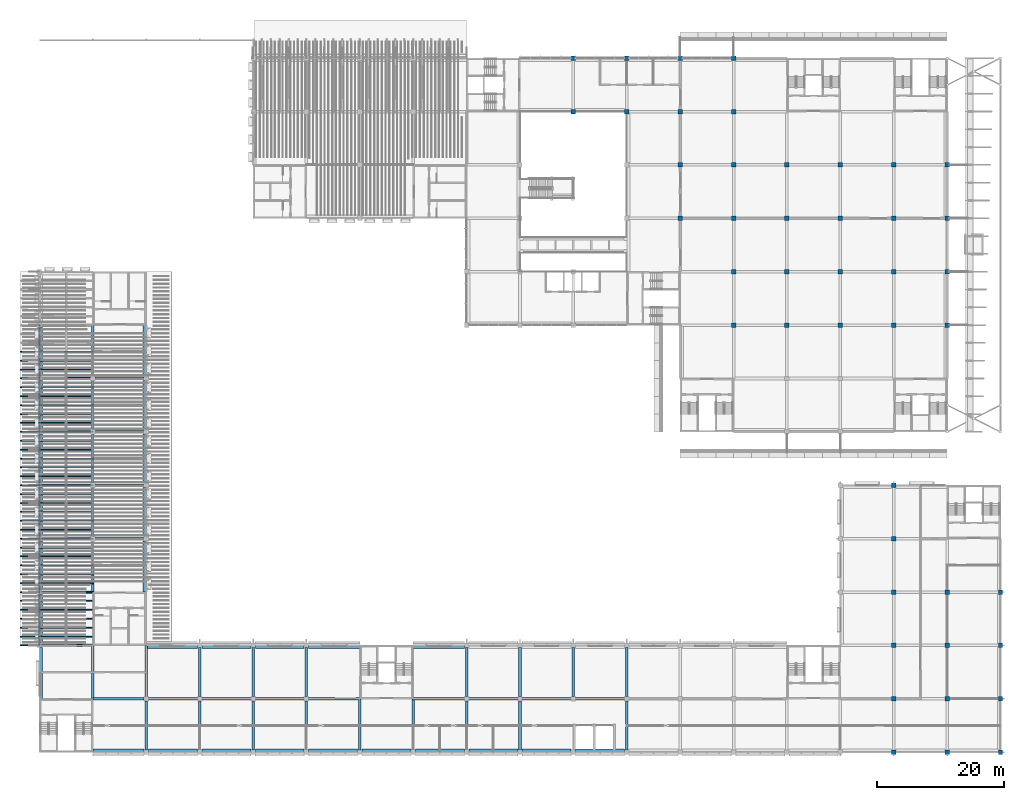
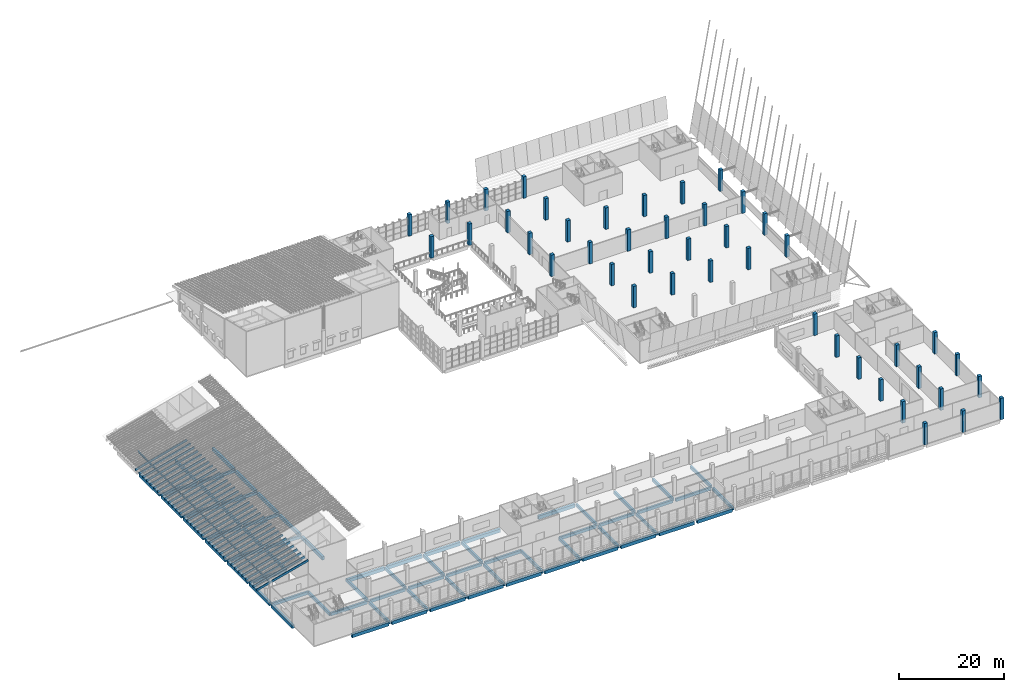
# One storey, part 3 of 82: 75 beams, 44 columns, 34 members.
"""IFC4 building model written with IfcOpenShell, lengths in metres."""

from ifc_helpers import new_model, si_unit, direction, frame, origin, origin_2d, place, context, subcontext, project, spatial, rectangle, i_section, extrude, material, material_profile, profile_set, type_object, element, save


model = new_model("IFC4")

# Units and contexts
model_context = context("Model", 3, precision=1e-05, world=origin(), true_north=direction((0.0, 1.0)))
body_context = subcontext(model_context, "Body", "Model", "MODEL_VIEW")
ifc_project = project(units=[si_unit("LENGTHUNIT", "METRE"), si_unit("AREAUNIT", "SQUARE_METRE"), si_unit("VOLUMEUNIT", "CUBIC_METRE"), si_unit("PLANEANGLEUNIT", "RADIAN"), si_unit("MASSUNIT", "GRAM", prefix="KILO")], contexts=[model_context])

# Site, building, storey
site_placement = place(None, origin())
site = spatial("IfcSite", under=ifc_project, at=site_placement, CompositionType="ELEMENT")
building_placement = place(site_placement, origin())
building = spatial("IfcBuilding", under=site, at=building_placement, Name="Almond Square Museum", CompositionType="ELEMENT")
storey_placement = place(building_placement, frame((0.0, 0.0, 20.0)))
storey = spatial("IfcBuildingStorey", under=building, at=storey_placement, Name="L03", CompositionType="ELEMENT", Elevation=20.0)

# Columns
ifc_material_1 = material(Name="Concrete C40/50", Category="concrete")
ifc_material_profile_1 = material_profile(ifc_material_1, rectangle(XDim=0.699951171875, YDim=0.699951171875, at=origin_2d()))
ifc_profile_set_1 = profile_set([ifc_material_profile_1], Name="Concrete C40/50")
column_type = type_object("IfcColumnType", Name="RC column 700 x 700 C40/50", PredefinedType="COLUMN", material=ifc_profile_set_1)
for number, where, z_axis, x_axis, name in (
    (1, (90.0, 100.800048828125, 0.0), (0.0, 0.0, 1.0), (1.0, 0.0, 0.0), "Column 12-M L03"),
    (2, (90.0, 109.199951171875, 0.0), (0.0, 0.0, 1.0), (1.0, 0.0, 0.0), "Column 12-N L03"),
    (3, (98.39990234375, 100.800048828125, 0.0), (0.0, 0.0, 1.0), (1.0, 0.0, 0.0), "Column 13-M L03"),
    (4, (98.39990234375, 109.199951171875, 0.0), (0.0, 0.0, 1.0), (1.0, 0.0, 0.0), "Column 13-N L03"),
    (5, (106.800048828125, 84.0, 0.0), (0.0, 0.0, 1.0), (1.0, 0.0, 0.0), "Column 14-K L03"),
    (6, (106.800048828125, 92.39990234375, 0.0), (0.0, 0.0, 1.0), (1.0, 0.0, 0.0), "Column 14-L L03"),
    (7, (106.800048828125, 100.800048828125, 0.0), (0.0, 0.0, 1.0), (1.0, 0.0, 0.0), "Column 14-M L03"),
    (8, (106.800048828125, 109.199951171875, 0.0), (0.0, 0.0, 1.0), (1.0, 0.0, 0.0), "Column 14-N L03"),
    (9, (115.199951171875, 67.199951171875, 0.0), (0.0, 0.0, 1.0), (1.0, 0.0, 0.0), "Column 15-I L03"),
    (10, (115.199951171875, 75.60009765625, 0.0), (0.0, 0.0, 1.0), (1.0, 0.0, 0.0), "Column 15-J L03"),
    (11, (115.199951171875, 84.0, 0.0), (0.0, 0.0, 1.0), (1.0, 0.0, 0.0), "Column 15-K L03"),
    (12, (115.199951171875, 92.39990234375, 0.0), (0.0, 0.0, 1.0), (1.0, 0.0, 0.0), "Column 15-L L03"),
    (13, (115.199951171875, 100.800048828125, 0.0), (0.0, 0.0, 1.0), (1.0, 0.0, 0.0), "Column 15-M L03"),
    (14, (115.199951171875, 109.199951171875, 0.0), (0.0, 0.0, 1.0), (1.0, 0.0, 0.0), "Column 15-N L03"),
    (15, (123.60009765625, 67.199951171875, 0.0), (0.0, 0.0, 1.0), (1.0, 0.0, 0.0), "Column 16-I L03"),
    (16, (123.60009765625, 75.60009765625, 0.0), (0.0, 0.0, 1.0), (1.0, 0.0, 0.0), "Column 16-J L03"),
    (17, (123.60009765625, 84.0, 0.0), (0.0, 0.0, 1.0), (1.0, 0.0, 0.0), "Column 16-K L03"),
    (18, (123.60009765625, 92.39990234375, 0.0), (0.0, 0.0, 1.0), (1.0, 0.0, 0.0), "Column 16-L L03"),
    (19, (132.0, 67.199951171875, 0.0), (0.0, 0.0, 1.0), (1.0, 0.0, 0.0), "Column 17-I L03"),
    (20, (132.0, 75.60009765625, 0.0), (0.0, 0.0, 1.0), (1.0, 0.0, 0.0), "Column 17-J L03"),
    (21, (132.0, 84.0, 0.0), (0.0, 0.0, 1.0), (1.0, 0.0, 0.0), "Column 17-K L03"),
    (22, (132.0, 92.39990234375, 0.0), (0.0, 0.0, 1.0), (1.0, 0.0, 0.0), "Column 17-L L03"),
    (23, (140.39990234375, 0.0, 0.0), (0.0, 0.0, 1.0), (1.0, 0.0, 0.0), "Column 18-A L03"),
    (24, (140.39990234375, 8.39990234375, 0.0), (0.0, 0.0, 1.0), (1.0, 0.0, 0.0), "Column 18-B L03"),
    (25, (140.39990234375, 16.800048828125, 0.0), (0.0, 0.0, 1.0), (1.0, 0.0, 0.0), "Column 18-C L03"),
    (26, (140.39990234375, 25.199951171875, 0.0), (0.0, 0.0, 1.0), (1.0, 0.0, 0.0), "Column 18-D L03"),
    (27, (140.39990234375, 33.60009765625, 0.0), (0.0, 0.0, 1.0), (1.0, 0.0, 0.0), "Column 18-E L03"),
    (28, (140.39990234375, 42.0, 0.0), (0.0, 0.0, 1.0), (1.0, 0.0, 0.0), "Column 18-F L03"),
    (29, (140.39990234375, 67.199951171875, 0.0), (0.0, 0.0, 1.0), (1.0, 0.0, 0.0), "Column 18-I L03"),
    (30, (140.39990234375, 75.60009765625, 0.0), (0.0, 0.0, 1.0), (1.0, 0.0, 0.0), "Column 18-J L03"),
    (31, (140.39990234375, 84.0, 0.0), (0.0, 0.0, 1.0), (1.0, 0.0, 0.0), "Column 18-K L03"),
    (32, (140.39990234375, 92.39990234375, 0.0), (0.0, 0.0, 1.0), (1.0, 0.0, 0.0), "Column 18-L L03"),
    (33, (148.800048828125, 0.0, 0.0), (0.0, 0.0, 1.0), (1.0, 0.0, 0.0), "Column 19-A L03"),
    (34, (148.800048828125, 8.39990234375, 0.0), (0.0, 0.0, 1.0), (1.0, 0.0, 0.0), "Column 19-B L03"),
    (35, (148.800048828125, 16.800048828125, 0.0), (0.0, 0.0, 1.0), (1.0, 0.0, 0.0), "Column 19-C L03"),
    (36, (148.800048828125, 25.199951171875, 0.0), (0.0, 0.0, 1.0), (1.0, 0.0, 0.0), "Column 19-D L03"),
    (37, (148.800048828125, 67.199951171875, 0.0), (0.0, 0.0, 1.0), (1.0, 0.0, 0.0), "Column 19-I L03"),
    (38, (148.800048828125, 75.60009765625, 0.0), (0.0, 0.0, 1.0), (1.0, 0.0, 0.0), "Column 19-J L03"),
    (39, (148.800048828125, 84.0, 0.0), (0.0, 0.0, 1.0), (1.0, 0.0, 0.0), "Column 19-K L03"),
    (40, (148.800048828125, 92.39990234375, 0.0), (0.0, 0.0, 1.0), (1.0, 0.0, 0.0), "Column 19-L L03"),
    (41, (157.199951171875, 0.0, 0.0), (0.0, 0.0, 1.0), (1.0, 0.0, 0.0), "Column 20-A L03"),
    (42, (157.199951171875, 8.39990234375, 0.0), (0.0, 0.0, 1.0), (1.0, 0.0, 0.0), "Column 20-B L03"),
    (43, (157.199951171875, 16.800048828125, 0.0), (0.0, 0.0, 1.0), (1.0, 0.0, 0.0), "Column 20-C L03"),
    (44, (157.199951171875, 25.199951171875, 0.0), (0.0, 0.0, 1.0), (1.0, 0.0, 0.0), "Column 20-D L03"),
):
    element("IfcColumn", number, at=place(storey_placement, frame(where, z_axis=z_axis, x_axis=x_axis)), inside=storey, type_object=column_type, Name=name, PredefinedType="COLUMN", context=body_context, shape_type="SweptSolid", body=[
        extrude(rectangle(XDim=0.699951171875, YDim=0.699951171875, at=origin_2d()), origin(), (0.0, 0.0, 1.0), 5.0),
    ])

# Members
ifc_material_2 = material(Name="Glulam GL28h", Category="wood")
ifc_material_profile_2 = material_profile(ifc_material_2, rectangle(XDim=0.159912109375, YDim=0.5, at=origin_2d()))
ifc_profile_set_2 = profile_set([ifc_material_profile_2], Name="Glulam GL28h")
member_type = type_object("IfcMemberType", Name="Glulam rafter GL28h 160x500", PredefinedType="RAFTER", material=ifc_profile_set_2)
for number, where, z_axis, x_axis, name in (
    (45, (3.0, 16.860107421875, 3.8525390625), (0.967374157701, 0.0, 0.253352006136), (0.0, 1.0, 0.0), "V4W rafter 1.1"),
    (46, (3.0, 18.199951171875, 3.8525390625), (0.967374157701, 0.0, 0.253352006136), (0.0, 1.0, 0.0), "V4W rafter 1.2"),
    (47, (3.0, 19.60009765625, 3.8525390625), (0.967374157701, 0.0, 0.253352006136), (0.0, 1.0, 0.0), "V4W rafter 1.3"),
    (48, (3.0, 21.0, 3.8525390625), (0.967374157701, 0.0, 0.253352006136), (0.0, 1.0, 0.0), "V4W rafter 1.4"),
    (49, (3.0, 22.39990234375, 3.8525390625), (0.967374157701, 0.0, 0.253352006136), (0.0, 1.0, 0.0), "V4W rafter 1.5"),
    (50, (3.0, 23.800048828125, 3.8525390625), (0.967374157701, 0.0, 0.253352006136), (0.0, 1.0, 0.0), "V4W rafter 1.6"),
    (51, (3.0, 25.199951171875, 3.8525390625), (0.967374157701, 0.0, 0.253352006136), (0.0, 1.0, 0.0), "V4W rafter 1.7"),
    (52, (3.0, 26.60009765625, 3.8525390625), (0.967374157701, 0.0, 0.253352006136), (0.0, 1.0, 0.0), "V4W rafter 1.8"),
    (53, (3.0, 28.0, 3.8525390625), (0.967374157701, 0.0, 0.253352006136), (0.0, 1.0, 0.0), "V4W rafter 1.9"),
    (54, (3.0, 29.39990234375, 3.8525390625), (0.967374157701, 0.0, 0.253352006136), (0.0, 1.0, 0.0), "V4W rafter 1.10"),
    (55, (3.0, 30.800048828125, 3.8525390625), (0.967374157701, 0.0, 0.253352006136), (0.0, 1.0, 0.0), "V4W rafter 1.11"),
    (56, (3.0, 32.199951171875, 3.8525390625), (0.967374157701, 0.0, 0.253352006136), (0.0, 1.0, 0.0), "V4W rafter 1.12"),
    (57, (3.0, 33.60009765625, 3.8525390625), (0.967374157701, 0.0, 0.253352006136), (0.0, 1.0, 0.0), "V4W rafter 1.13"),
    (58, (3.0, 35.0, 3.8525390625), (0.967374157701, 0.0, 0.253352006136), (0.0, 1.0, 0.0), "V4W rafter 1.14"),
    (59, (3.0, 36.39990234375, 3.8525390625), (0.967374157701, 0.0, 0.253352006136), (0.0, 1.0, 0.0), "V4W rafter 1.15"),
    (60, (3.0, 37.800048828125, 3.8525390625), (0.967374157701, 0.0, 0.253352006136), (0.0, 1.0, 0.0), "V4W rafter 1.16"),
    (61, (3.0, 39.199951171875, 3.8525390625), (0.967374157701, 0.0, 0.253352006136), (0.0, 1.0, 0.0), "V4W rafter 1.17"),
    (62, (3.0, 40.60009765625, 3.8525390625), (0.967374157701, 0.0, 0.253352006136), (0.0, 1.0, 0.0), "V4W rafter 1.18"),
    (63, (3.0, 42.0, 3.8525390625), (0.967374157701, 0.0, 0.253352006136), (0.0, 1.0, 0.0), "V4W rafter 1.19"),
    (64, (3.0, 43.39990234375, 3.8525390625), (0.967374157701, 0.0, 0.253352006136), (0.0, 1.0, 0.0), "V4W rafter 1.20"),
    (65, (3.0, 44.800048828125, 3.8525390625), (0.967374157701, 0.0, 0.253352006136), (0.0, 1.0, 0.0), "V4W rafter 1.21"),
    (66, (3.0, 46.199951171875, 3.8525390625), (0.967374157701, 0.0, 0.253352006136), (0.0, 1.0, 0.0), "V4W rafter 1.22"),
    (67, (3.0, 47.60009765625, 3.8525390625), (0.967374157701, 0.0, 0.253352006136), (0.0, 1.0, 0.0), "V4W rafter 1.23"),
    (68, (3.0, 49.0, 3.8525390625), (0.967374157701, 0.0, 0.253352006136), (0.0, 1.0, 0.0), "V4W rafter 1.24"),
    (69, (3.0, 50.39990234375, 3.8525390625), (0.967374157701, 0.0, 0.253352006136), (0.0, 1.0, 0.0), "V4W rafter 1.25"),
    (70, (3.0, 51.800048828125, 3.8525390625), (0.967374157701, 0.0, 0.253352006136), (0.0, 1.0, 0.0), "V4W rafter 1.26"),
    (71, (3.0, 53.199951171875, 3.8525390625), (0.967374157701, 0.0, 0.253352006136), (0.0, 1.0, 0.0), "V4W rafter 1.27"),
    (72, (3.0, 54.60009765625, 3.8525390625), (0.967374157701, 0.0, 0.253352006136), (0.0, 1.0, 0.0), "V4W rafter 1.28"),
    (73, (3.0, 56.0, 3.8525390625), (0.967374157701, 0.0, 0.253352006136), (0.0, 1.0, 0.0), "V4W rafter 1.29"),
    (74, (3.0, 57.39990234375, 3.8525390625), (0.967374157701, 0.0, 0.253352006136), (0.0, 1.0, 0.0), "V4W rafter 1.30"),
    (75, (3.0, 58.800048828125, 3.8525390625), (0.967374157701, 0.0, 0.253352006136), (0.0, 1.0, 0.0), "V4W rafter 1.31"),
    (76, (3.0, 60.199951171875, 3.8525390625), (0.967374157701, 0.0, 0.253352006136), (0.0, 1.0, 0.0), "V4W rafter 1.32"),
    (77, (3.0, 61.60009765625, 3.8525390625), (0.967374157701, 0.0, 0.253352006136), (0.0, 1.0, 0.0), "V4W rafter 1.33"),
    (78, (3.0, 63.0, 3.8525390625), (0.967374157701, 0.0, 0.253352006136), (0.0, 1.0, 0.0), "V4W rafter 1.34"),
):
    element("IfcMember", number, at=place(storey_placement, frame(where, z_axis=z_axis, x_axis=x_axis)), inside=storey, type_object=member_type, Name=name, PredefinedType="RAFTER", context=body_context, shape_type="SweptSolid", body=[
        extrude(rectangle(XDim=0.159912109375, YDim=0.5, at=origin_2d()), origin(), (0.0, 0.0, 1.0), 11.784423828125),
    ])

# Beams
ifc_material_3 = material(Name="Concrete C40/50", Category="concrete")
ifc_material_profile_3 = material_profile(ifc_material_3, rectangle(XDim=0.39990234375, YDim=0.699951171875, at=origin_2d()))
ifc_profile_set_3 = profile_set([ifc_material_profile_3], Name="Concrete C40/50")
beam_type_1 = type_object("IfcBeamType", Name="RC beam 400 x 700 C40/50", PredefinedType="BEAM", material=ifc_profile_set_3)
beam_1_placement = place(storey_placement, frame((14.39990234375, 8.39990234375, -0.60009765625), z_axis=(1.0, 0.0, 0.0), x_axis=(0.0, 1.0, 0.0)))
element("IfcBeam", 79, at=beam_1_placement, inside=storey, type_object=beam_type_1, Name="Beam B 3-4 L03", PredefinedType="BEAM", context=body_context, shape_type="SweptSolid", body=[
    extrude(rectangle(XDim=0.39990234375, YDim=0.699951171875, at=origin_2d()), origin(), (0.0, 0.0, 1.0), 8.050048828125),
])
beam_2_placement = place(storey_placement, frame((23.14990234375, 8.39990234375, -0.60009765625), z_axis=(1.0, 0.0, 0.0), x_axis=(0.0, 1.0, 0.0)))
element("IfcBeam", 80, at=beam_2_placement, inside=storey, type_object=beam_type_1, Name="Beam B 4-5 L03", PredefinedType="BEAM", context=body_context, shape_type="SweptSolid", body=[
    extrude(rectangle(XDim=0.39990234375, YDim=0.699951171875, at=origin_2d()), origin(), (0.0, 0.0, 1.0), 7.7001953125),
])
for number, where, z_axis, x_axis, name in (
    (81, (31.550048828125, 8.39990234375, -0.60009765625), (1.0, 0.0, 0.0), (0.0, 1.0, 0.0), "Beam B 5-6 L03"),
    (82, (39.949951171875, 8.39990234375, -0.60009765625), (1.0, 0.0, 0.0), (0.0, 1.0, 0.0), "Beam B 6-7 L03"),
):
    element("IfcBeam", number, at=place(storey_placement, frame(where, z_axis=z_axis, x_axis=x_axis)), inside=storey, type_object=beam_type_1, Name=name, PredefinedType="BEAM", context=body_context, shape_type="SweptSolid", body=[
        extrude(rectangle(XDim=0.39990234375, YDim=0.699951171875, at=origin_2d()), origin(), (0.0, 0.0, 1.0), 7.699951171875),
    ])
beam_3_placement = place(storey_placement, frame((48.35009765625, 8.39990234375, -0.60009765625), z_axis=(1.0, 0.0, 0.0), x_axis=(0.0, 1.0, 0.0)))
element("IfcBeam", 83, at=beam_3_placement, inside=storey, type_object=beam_type_1, Name="Beam B 7-8 L03", PredefinedType="BEAM", context=body_context, shape_type="SweptSolid", body=[
    extrude(rectangle(XDim=0.39990234375, YDim=0.699951171875, at=origin_2d()), origin(), (0.0, 0.0, 1.0), 8.0498046875),
])
beam_4_placement = place(storey_placement, frame((64.800048828125, 8.39990234375, -0.60009765625), z_axis=(1.0, 0.0, 0.0), x_axis=(0.0, 1.0, 0.0)))
element("IfcBeam", 84, at=beam_4_placement, inside=storey, type_object=beam_type_1, Name="Beam B 9-10 L03", PredefinedType="BEAM", context=body_context, shape_type="SweptSolid", body=[
    extrude(rectangle(XDim=0.39990234375, YDim=0.699951171875, at=origin_2d()), origin(), (0.0, 0.0, 1.0), 8.050048828125),
])
for number, where, z_axis, x_axis, name in (
    (85, (73.550048828125, 8.39990234375, -0.60009765625), (1.0, 0.0, 0.0), (0.0, 1.0, 0.0), "Beam B 10-11 L03"),
    (86, (81.949951171875, 8.39990234375, -0.60009765625), (1.0, 0.0, 0.0), (0.0, 1.0, 0.0), "Beam B 11-12 L03"),
    (87, (90.35009765625, 8.39990234375, -0.60009765625), (1.0, 0.0, 0.0), (0.0, 1.0, 0.0), "Beam B 12-13 L03"),
):
    element("IfcBeam", number, at=place(storey_placement, frame(where, z_axis=z_axis, x_axis=x_axis)), inside=storey, type_object=beam_type_1, Name=name, PredefinedType="BEAM", context=body_context, shape_type="SweptSolid", body=[
        extrude(rectangle(XDim=0.39990234375, YDim=0.699951171875, at=origin_2d()), origin(), (0.0, 0.0, 1.0), 7.699951171875),
    ])
for number, where, z_axis, x_axis, name in (
    (88, (6.35009765625, 16.800048828125, -0.60009765625), (1.0, 0.0, 0.0), (0.0, 1.0, 0.0), "Beam C 2-3 L03"),
    (89, (6.35009765625, 25.199951171875, -0.60009765625), (1.0, 0.0, 0.0), (0.0, 1.0, 0.0), "Beam D 2-3 L03"),
):
    element("IfcBeam", number, at=place(storey_placement, frame(where, z_axis=z_axis, x_axis=x_axis)), inside=storey, type_object=beam_type_1, Name=name, PredefinedType="BEAM", context=body_context, shape_type="SweptSolid", body=[
        extrude(rectangle(XDim=0.39990234375, YDim=0.699951171875, at=origin_2d()), origin(), (0.0, 0.0, 1.0), 8.0498046875),
    ])
for number, where, z_axis, x_axis, name in (
    (90, (6.35009765625, 33.60009765625, -0.60009765625), (1.0, 0.0, 0.0), (0.0, 1.0, 0.0), "Beam E 2-3 L03"),
    (91, (14.75, 33.60009765625, -0.60009765625), (1.0, 0.0, 0.0), (0.0, 1.0, 0.0), "Beam E 3-4 L03"),
    (92, (6.35009765625, 42.0, -0.60009765625), (1.0, 0.0, 0.0), (0.0, 1.0, 0.0), "Beam F 2-3 L03"),
    (93, (14.75, 42.0, -0.60009765625), (1.0, 0.0, 0.0), (0.0, 1.0, 0.0), "Beam F 3-4 L03"),
    (94, (6.35009765625, 50.39990234375, -0.60009765625), (1.0, 0.0, 0.0), (0.0, 1.0, 0.0), "Beam G 2-3 L03"),
    (95, (14.75, 50.39990234375, -0.60009765625), (1.0, 0.0, 0.0), (0.0, 1.0, 0.0), "Beam G 3-4 L03"),
    (96, (6.35009765625, 58.800048828125, -0.60009765625), (1.0, 0.0, 0.0), (0.0, 1.0, 0.0), "Beam H 2-3 L03"),
    (97, (14.75, 58.800048828125, -0.60009765625), (1.0, 0.0, 0.0), (0.0, 1.0, 0.0), "Beam H 3-4 L03"),
):
    element("IfcBeam", number, at=place(storey_placement, frame(where, z_axis=z_axis, x_axis=x_axis)), inside=storey, type_object=beam_type_1, Name=name, PredefinedType="BEAM", context=body_context, shape_type="SweptSolid", body=[
        extrude(rectangle(XDim=0.39990234375, YDim=0.699951171875, at=origin_2d()), origin(), (0.0, 0.0, 1.0), 7.699951171875),
    ])
beam_5_placement = place(storey_placement, frame((14.39990234375, 8.39990234375, -0.60009765625), z_axis=(0.0, 1.0, 0.0), x_axis=(-1.0, 0.0, 0.0)))
element("IfcBeam", 98, at=beam_5_placement, inside=storey, type_object=beam_type_1, Name="Beam 3 B-C L03", PredefinedType="BEAM", context=body_context, shape_type="SweptSolid", body=[
    extrude(rectangle(XDim=0.39990234375, YDim=0.699951171875, at=origin_2d()), origin(), (0.0, 0.0, 1.0), 8.400146484375),
])
beam_6_placement = place(storey_placement, frame((14.39990234375, 25.199951171875, -0.60009765625), z_axis=(0.0, 1.0, 0.0), x_axis=(-1.0, 0.0, 0.0)))
element("IfcBeam", 99, at=beam_6_placement, inside=storey, type_object=beam_type_1, Name="Beam 3 D-E L03", PredefinedType="BEAM", context=body_context, shape_type="SweptSolid", body=[
    extrude(rectangle(XDim=0.39990234375, YDim=0.699951171875, at=origin_2d()), origin(), (0.0, 0.0, 1.0), 8.050048828125),
])
for number, where, z_axis, x_axis, name in (
    (100, (14.39990234375, 33.949951171875, -0.60009765625), (0.0, 1.0, 0.0), (-1.0, 0.0, 0.0), "Beam 3 E-F L03"),
    (101, (14.39990234375, 42.35009765625, -0.60009765625), (0.0, 1.0, 0.0), (-1.0, 0.0, 0.0), "Beam 3 F-G L03"),
    (102, (14.39990234375, 50.75, -0.60009765625), (0.0, 1.0, 0.0), (-1.0, 0.0, 0.0), "Beam 3 G-H L03"),
):
    element("IfcBeam", number, at=place(storey_placement, frame(where, z_axis=z_axis, x_axis=x_axis)), inside=storey, type_object=beam_type_1, Name=name, PredefinedType="BEAM", context=body_context, shape_type="SweptSolid", body=[
        extrude(rectangle(XDim=0.39990234375, YDim=0.699951171875, at=origin_2d()), origin(), (0.0, 0.0, 1.0), 7.699951171875),
    ])
beam_7_placement = place(storey_placement, frame((14.39990234375, 59.14990234375, -0.60009765625), z_axis=(0.0, 1.0, 0.0), x_axis=(-1.0, 0.0, 0.0)))
element("IfcBeam", 103, at=beam_7_placement, inside=storey, type_object=beam_type_1, Name="Beam 3 H-I L03", PredefinedType="BEAM", context=body_context, shape_type="SweptSolid", body=[
    extrude(rectangle(XDim=0.39990234375, YDim=0.699951171875, at=origin_2d()), origin(), (0.0, 0.0, 1.0), 8.050048828125),
])
beam_8_placement = place(storey_placement, frame((22.800048828125, 0.35009765625, -0.60009765625), z_axis=(0.0, 1.0, 0.0), x_axis=(-1.0, 0.0, 0.0)))
element("IfcBeam", 104, at=beam_8_placement, inside=storey, type_object=beam_type_1, Name="Beam 4 A-B L03", PredefinedType="BEAM", context=body_context, shape_type="SweptSolid", body=[
    extrude(rectangle(XDim=0.39990234375, YDim=0.699951171875, at=origin_2d()), origin(), (0.0, 0.0, 1.0), 7.699951171875),
])
beam_9_placement = place(storey_placement, frame((22.800048828125, 8.75, -0.60009765625), z_axis=(0.0, 1.0, 0.0), x_axis=(-1.0, 0.0, 0.0)))
element("IfcBeam", 105, at=beam_9_placement, inside=storey, type_object=beam_type_1, Name="Beam 4 B-C L03", PredefinedType="BEAM", context=body_context, shape_type="SweptSolid", body=[
    extrude(rectangle(XDim=0.39990234375, YDim=0.699951171875, at=origin_2d()), origin(), (0.0, 0.0, 1.0), 8.050048828125),
])
for number, where, z_axis, x_axis, name in (
    (106, (31.199951171875, 0.35009765625, -0.60009765625), (0.0, 1.0, 0.0), (-1.0, 0.0, 0.0), "Beam 5 A-B L03"),
    (107, (31.199951171875, 8.75, -0.60009765625), (0.0, 1.0, 0.0), (-1.0, 0.0, 0.0), "Beam 5 B-C L03"),
    (108, (39.60009765625, 0.35009765625, -0.60009765625), (0.0, 1.0, 0.0), (-1.0, 0.0, 0.0), "Beam 6 A-B L03"),
    (109, (39.60009765625, 8.75, -0.60009765625), (0.0, 1.0, 0.0), (-1.0, 0.0, 0.0), "Beam 6 B-C L03"),
    (110, (48.0, 0.35009765625, -0.60009765625), (0.0, 1.0, 0.0), (-1.0, 0.0, 0.0), "Beam 7 A-B L03"),
    (111, (48.0, 8.75, -0.60009765625), (0.0, 1.0, 0.0), (-1.0, 0.0, 0.0), "Beam 7 B-C L03"),
):
    element("IfcBeam", number, at=place(storey_placement, frame(where, z_axis=z_axis, x_axis=x_axis)), inside=storey, type_object=beam_type_1, Name=name, PredefinedType="BEAM", context=body_context, shape_type="SweptSolid", body=[
        extrude(rectangle(XDim=0.39990234375, YDim=0.699951171875, at=origin_2d()), origin(), (0.0, 0.0, 1.0), 7.699951171875),
    ])
for number, where, z_axis, x_axis, name in (
    (112, (56.39990234375, 0.35009765625, -0.60009765625), (0.0, 1.0, 0.0), (-1.0, 0.0, 0.0), "Beam 8 A-B L03"),
    (113, (64.800048828125, 0.35009765625, -0.60009765625), (0.0, 1.0, 0.0), (-1.0, 0.0, 0.0), "Beam 9 A-B L03"),
):
    element("IfcBeam", number, at=place(storey_placement, frame(where, z_axis=z_axis, x_axis=x_axis)), inside=storey, type_object=beam_type_1, Name=name, PredefinedType="BEAM", context=body_context, shape_type="SweptSolid", body=[
        extrude(rectangle(XDim=0.39990234375, YDim=0.699951171875, at=origin_2d()), origin(), (0.0, 0.0, 1.0), 8.0498046875),
    ])
for number, where, z_axis, x_axis, name in (
    (114, (73.199951171875, 0.35009765625, -0.60009765625), (0.0, 1.0, 0.0), (-1.0, 0.0, 0.0), "Beam 10 A-B L03"),
    (115, (73.199951171875, 8.75, -0.60009765625), (0.0, 1.0, 0.0), (-1.0, 0.0, 0.0), "Beam 10 B-C L03"),
    (116, (81.60009765625, 0.35009765625, -0.60009765625), (0.0, 1.0, 0.0), (-1.0, 0.0, 0.0), "Beam 11 A-B L03"),
    (117, (81.60009765625, 8.75, -0.60009765625), (0.0, 1.0, 0.0), (-1.0, 0.0, 0.0), "Beam 11 B-C L03"),
    (118, (90.0, 8.75, -0.60009765625), (0.0, 1.0, 0.0), (-1.0, 0.0, 0.0), "Beam 12 B-C L03"),
    (119, (98.39990234375, 0.35009765625, -0.60009765625), (0.0, 1.0, 0.0), (-1.0, 0.0, 0.0), "Beam 13 A-B L03"),
    (120, (98.39990234375, 8.75, -0.60009765625), (0.0, 1.0, 0.0), (-1.0, 0.0, 0.0), "Beam 13 B-C L03"),
):
    element("IfcBeam", number, at=place(storey_placement, frame(where, z_axis=z_axis, x_axis=x_axis)), inside=storey, type_object=beam_type_1, Name=name, PredefinedType="BEAM", context=body_context, shape_type="SweptSolid", body=[
        extrude(rectangle(XDim=0.39990234375, YDim=0.699951171875, at=origin_2d()), origin(), (0.0, 0.0, 1.0), 7.699951171875),
    ])
ifc_material_4 = material(Name="Concrete C40/50", Category="concrete")
ifc_material_profile_4 = material_profile(ifc_material_4, rectangle(XDim=0.5, YDim=0.800048828125, at=origin_2d()))
ifc_profile_set_4 = profile_set([ifc_material_profile_4], Name="Concrete C40/50")
beam_type_2 = type_object("IfcBeamType", Name="RC edge beam 500 x 800 C40/50", PredefinedType="BEAM", material=ifc_profile_set_4)
beam_10_placement = place(storey_placement, frame((14.39990234375, 0.25, -0.64990234375), z_axis=(1.0, 0.0, 0.0), x_axis=(0.0, 1.0, 0.0)))
element("IfcBeam", 121, at=beam_10_placement, inside=storey, type_object=beam_type_2, Name="Edge beam A 3-4 L03", PredefinedType="BEAM", context=body_context, shape_type="SweptSolid", body=[
    extrude(rectangle(XDim=0.5, YDim=0.800048828125, at=origin_2d()), origin(), (0.0, 0.0, 1.0), 8.050048828125),
])
beam_11_placement = place(storey_placement, frame((23.14990234375, 0.25, -0.64990234375), z_axis=(1.0, 0.0, 0.0), x_axis=(0.0, 1.0, 0.0)))
element("IfcBeam", 122, at=beam_11_placement, inside=storey, type_object=beam_type_2, Name="Edge beam A 4-5 L03", PredefinedType="BEAM", context=body_context, shape_type="SweptSolid", body=[
    extrude(rectangle(XDim=0.5, YDim=0.800048828125, at=origin_2d()), origin(), (0.0, 0.0, 1.0), 7.7001953125),
])
for number, where, z_axis, x_axis, name in (
    (123, (31.550048828125, 0.25, -0.64990234375), (1.0, 0.0, 0.0), (0.0, 1.0, 0.0), "Edge beam A 5-6 L03"),
    (124, (39.949951171875, 0.25, -0.64990234375), (1.0, 0.0, 0.0), (0.0, 1.0, 0.0), "Edge beam A 6-7 L03"),
    (125, (48.35009765625, 0.25, -0.64990234375), (1.0, 0.0, 0.0), (0.0, 1.0, 0.0), "Edge beam A 7-8 L03"),
    (126, (56.75, 0.25, -0.64990234375), (1.0, 0.0, 0.0), (0.0, 1.0, 0.0), "Edge beam A 8-9 L03"),
):
    element("IfcBeam", number, at=place(storey_placement, frame(where, z_axis=z_axis, x_axis=x_axis)), inside=storey, type_object=beam_type_2, Name=name, PredefinedType="BEAM", context=body_context, shape_type="SweptSolid", body=[
        extrude(rectangle(XDim=0.5, YDim=0.800048828125, at=origin_2d()), origin(), (0.0, 0.0, 1.0), 7.699951171875),
    ])
beam_12_placement = place(storey_placement, frame((65.14990234375, 0.25, -0.64990234375), z_axis=(1.0, 0.0, 0.0), x_axis=(0.0, 1.0, 0.0)))
element("IfcBeam", 127, at=beam_12_placement, inside=storey, type_object=beam_type_2, Name="Edge beam A 9-10 L03", PredefinedType="BEAM", context=body_context, shape_type="SweptSolid", body=[
    extrude(rectangle(XDim=0.5, YDim=0.800048828125, at=origin_2d()), origin(), (0.0, 0.0, 1.0), 7.7001953125),
])
for number, where, z_axis, x_axis, name in (
    (128, (73.550048828125, 0.25, -0.64990234375), (1.0, 0.0, 0.0), (0.0, 1.0, 0.0), "Edge beam A 10-11 L03"),
    (129, (81.949951171875, 0.25, -0.64990234375), (1.0, 0.0, 0.0), (0.0, 1.0, 0.0), "Edge beam A 11-12 L03"),
    (130, (90.35009765625, 0.25, -0.64990234375), (1.0, 0.0, 0.0), (0.0, 1.0, 0.0), "Edge beam A 12-13 L03"),
):
    element("IfcBeam", number, at=place(storey_placement, frame(where, z_axis=z_axis, x_axis=x_axis)), inside=storey, type_object=beam_type_2, Name=name, PredefinedType="BEAM", context=body_context, shape_type="SweptSolid", body=[
        extrude(rectangle(XDim=0.5, YDim=0.800048828125, at=origin_2d()), origin(), (0.0, 0.0, 1.0), 7.699951171875),
    ])
beam_13_placement = place(storey_placement, frame((22.800048828125, 16.550048828125, -0.64990234375), z_axis=(1.0, 0.0, 0.0), x_axis=(0.0, 1.0, 0.0)))
element("IfcBeam", 131, at=beam_13_placement, inside=storey, type_object=beam_type_2, Name="Edge beam C 4-5 L03", PredefinedType="BEAM", context=body_context, shape_type="SweptSolid", body=[
    extrude(rectangle(XDim=0.5, YDim=0.800048828125, at=origin_2d()), origin(), (0.0, 0.0, 1.0), 8.050048828125),
])
for number, where, z_axis, x_axis, name in (
    (132, (31.550048828125, 16.550048828125, -0.64990234375), (1.0, 0.0, 0.0), (0.0, 1.0, 0.0), "Edge beam C 5-6 L03"),
    (133, (39.949951171875, 16.550048828125, -0.64990234375), (1.0, 0.0, 0.0), (0.0, 1.0, 0.0), "Edge beam C 6-7 L03"),
):
    element("IfcBeam", number, at=place(storey_placement, frame(where, z_axis=z_axis, x_axis=x_axis)), inside=storey, type_object=beam_type_2, Name=name, PredefinedType="BEAM", context=body_context, shape_type="SweptSolid", body=[
        extrude(rectangle(XDim=0.5, YDim=0.800048828125, at=origin_2d()), origin(), (0.0, 0.0, 1.0), 7.699951171875),
    ])
beam_14_placement = place(storey_placement, frame((48.35009765625, 16.550048828125, -0.64990234375), z_axis=(1.0, 0.0, 0.0), x_axis=(0.0, 1.0, 0.0)))
element("IfcBeam", 134, at=beam_14_placement, inside=storey, type_object=beam_type_2, Name="Edge beam C 7-8 L03", PredefinedType="BEAM", context=body_context, shape_type="SweptSolid", body=[
    extrude(rectangle(XDim=0.5, YDim=0.800048828125, at=origin_2d()), origin(), (0.0, 0.0, 1.0), 8.0498046875),
])
for number, where, z_axis, x_axis, name in (
    (135, (64.800048828125, 16.550048828125, -0.64990234375), (1.0, 0.0, 0.0), (0.0, 1.0, 0.0), "Edge beam C 9-10 L03"),
    (136, (6.25, 8.39990234375, -0.64990234375), (0.0, 1.0, 0.0), (-1.0, 0.0, 0.0), "Edge beam 2 B-C L03"),
):
    element("IfcBeam", number, at=place(storey_placement, frame(where, z_axis=z_axis, x_axis=x_axis)), inside=storey, type_object=beam_type_2, Name=name, PredefinedType="BEAM", context=body_context, shape_type="SweptSolid", body=[
        extrude(rectangle(XDim=0.5, YDim=0.800048828125, at=origin_2d()), origin(), (0.0, 0.0, 1.0), 8.050048828125),
    ])
beam_15_placement = place(storey_placement, frame((6.25, 17.14990234375, -0.64990234375), z_axis=(0.0, 1.0, 0.0), x_axis=(-1.0, 0.0, 0.0)))
element("IfcBeam", 137, at=beam_15_placement, inside=storey, type_object=beam_type_2, Name="Edge beam 2 C-D L03", PredefinedType="BEAM", context=body_context, shape_type="SweptSolid", body=[
    extrude(rectangle(XDim=0.5, YDim=0.800048828125, at=origin_2d()), origin(), (0.0, 0.0, 1.0), 7.7001953125),
])
for number, where, z_axis, x_axis, name in (
    (138, (6.25, 25.550048828125, -0.64990234375), (0.0, 1.0, 0.0), (-1.0, 0.0, 0.0), "Edge beam 2 D-E L03"),
    (139, (6.25, 33.949951171875, -0.64990234375), (0.0, 1.0, 0.0), (-1.0, 0.0, 0.0), "Edge beam 2 E-F L03"),
    (140, (6.25, 42.35009765625, -0.64990234375), (0.0, 1.0, 0.0), (-1.0, 0.0, 0.0), "Edge beam 2 F-G L03"),
    (141, (6.25, 50.75, -0.64990234375), (0.0, 1.0, 0.0), (-1.0, 0.0, 0.0), "Edge beam 2 G-H L03"),
):
    element("IfcBeam", number, at=place(storey_placement, frame(where, z_axis=z_axis, x_axis=x_axis)), inside=storey, type_object=beam_type_2, Name=name, PredefinedType="BEAM", context=body_context, shape_type="SweptSolid", body=[
        extrude(rectangle(XDim=0.5, YDim=0.800048828125, at=origin_2d()), origin(), (0.0, 0.0, 1.0), 7.699951171875),
    ])
beam_16_placement = place(storey_placement, frame((6.25, 59.14990234375, -0.64990234375), z_axis=(0.0, 1.0, 0.0), x_axis=(-1.0, 0.0, 0.0)))
element("IfcBeam", 142, at=beam_16_placement, inside=storey, type_object=beam_type_2, Name="Edge beam 2 H-I L03", PredefinedType="BEAM", context=body_context, shape_type="SweptSolid", body=[
    extrude(rectangle(XDim=0.5, YDim=0.800048828125, at=origin_2d()), origin(), (0.0, 0.0, 1.0), 7.7001953125),
])
beam_17_placement = place(storey_placement, frame((22.550048828125, 25.199951171875, -0.64990234375), z_axis=(0.0, 1.0, 0.0), x_axis=(-1.0, 0.0, 0.0)))
element("IfcBeam", 143, at=beam_17_placement, inside=storey, type_object=beam_type_2, Name="Edge beam 4 D-E L03", PredefinedType="BEAM", context=body_context, shape_type="SweptSolid", body=[
    extrude(rectangle(XDim=0.5, YDim=0.800048828125, at=origin_2d()), origin(), (0.0, 0.0, 1.0), 8.050048828125),
])
for number, where, z_axis, x_axis, name in (
    (144, (22.550048828125, 33.949951171875, -0.64990234375), (0.0, 1.0, 0.0), (-1.0, 0.0, 0.0), "Edge beam 4 E-F L03"),
    (145, (22.550048828125, 42.35009765625, -0.64990234375), (0.0, 1.0, 0.0), (-1.0, 0.0, 0.0), "Edge beam 4 F-G L03"),
    (146, (22.550048828125, 50.75, -0.64990234375), (0.0, 1.0, 0.0), (-1.0, 0.0, 0.0), "Edge beam 4 G-H L03"),
):
    element("IfcBeam", number, at=place(storey_placement, frame(where, z_axis=z_axis, x_axis=x_axis)), inside=storey, type_object=beam_type_2, Name=name, PredefinedType="BEAM", context=body_context, shape_type="SweptSolid", body=[
        extrude(rectangle(XDim=0.5, YDim=0.800048828125, at=origin_2d()), origin(), (0.0, 0.0, 1.0), 7.699951171875),
    ])
beam_18_placement = place(storey_placement, frame((22.550048828125, 59.14990234375, -0.64990234375), z_axis=(0.0, 1.0, 0.0), x_axis=(-1.0, 0.0, 0.0)))
element("IfcBeam", 147, at=beam_18_placement, inside=storey, type_object=beam_type_2, Name="Edge beam 4 H-I L03", PredefinedType="BEAM", context=body_context, shape_type="SweptSolid", body=[
    extrude(rectangle(XDim=0.5, YDim=0.800048828125, at=origin_2d()), origin(), (0.0, 0.0, 1.0), 8.050048828125),
])
ifc_material_5 = material(Name="Structural steel S355", Category="steel")
ifc_material_profile_5 = material_profile(ifc_material_5, i_section(OverallWidth=0.208984375, OverallDepth=0.532958984375, WebThickness=0.01025390625, FlangeThickness=0.015625, at=origin_2d()))
ifc_profile_set_5 = profile_set([ifc_material_profile_5], Name="Structural steel S355")
beam_type_3 = type_object("IfcBeamType", Name="Roof beam W530x92", PredefinedType="BEAM", material=ifc_profile_set_5)
beam_19_placement = place(storey_placement, frame((6.0, 16.800048828125, 4.62109375), z_axis=(0.0, 1.0, 0.0), x_axis=(-0.967372193034, 0.0, -0.253359507704)))
element("IfcBeam", 148, at=beam_19_placement, inside=storey, type_object=beam_type_3, Name="V4W roof beam 1.1", PredefinedType="BEAM", context=body_context, shape_type="SweptSolid", body=[
    extrude(i_section(OverallWidth=0.208984375, OverallDepth=0.532958984375, WebThickness=0.01025390625, FlangeThickness=0.015625, at=origin_2d()), origin(), (0.0, 0.0, 1.0), 8.39990234375),
])
beam_20_placement = place(storey_placement, frame((6.0, 25.199951171875, 4.62109375), z_axis=(0.0, 1.0, 0.0), x_axis=(-0.967372193034, 0.0, -0.253359507704)))
element("IfcBeam", 149, at=beam_20_placement, inside=storey, type_object=beam_type_3, Name="V4W roof beam 1.2", PredefinedType="BEAM", context=body_context, shape_type="SweptSolid", body=[
    extrude(i_section(OverallWidth=0.208984375, OverallDepth=0.532958984375, WebThickness=0.01025390625, FlangeThickness=0.015625, at=origin_2d()), origin(), (0.0, 0.0, 1.0), 8.400146484375),
])
for number, where, z_axis, x_axis, name in (
    (150, (6.0, 33.60009765625, 4.62109375), (0.0, 1.0, 0.0), (-0.967372193034, 0.0, -0.253359507704), "V4W roof beam 1.3"),
    (151, (6.0, 42.0, 4.62109375), (0.0, 1.0, 0.0), (-0.967372193034, 0.0, -0.253359507704), "V4W roof beam 1.4"),
):
    element("IfcBeam", number, at=place(storey_placement, frame(where, z_axis=z_axis, x_axis=x_axis)), inside=storey, type_object=beam_type_3, Name=name, PredefinedType="BEAM", context=body_context, shape_type="SweptSolid", body=[
        extrude(i_section(OverallWidth=0.208984375, OverallDepth=0.532958984375, WebThickness=0.01025390625, FlangeThickness=0.015625, at=origin_2d()), origin(), (0.0, 0.0, 1.0), 8.39990234375),
    ])
beam_21_placement = place(storey_placement, frame((6.0, 50.39990234375, 4.62109375), z_axis=(0.0, 1.0, 0.0), x_axis=(-0.967372193034, 0.0, -0.253359507704)))
element("IfcBeam", 152, at=beam_21_placement, inside=storey, type_object=beam_type_3, Name="V4W roof beam 1.5", PredefinedType="BEAM", context=body_context, shape_type="SweptSolid", body=[
    extrude(i_section(OverallWidth=0.208984375, OverallDepth=0.532958984375, WebThickness=0.01025390625, FlangeThickness=0.015625, at=origin_2d()), origin(), (0.0, 0.0, 1.0), 8.400146484375),
])
beam_22_placement = place(storey_placement, frame((6.0, 58.800048828125, 4.62109375), z_axis=(0.0, 1.0, 0.0), x_axis=(-0.967372193034, 0.0, -0.253359507704)))
element("IfcBeam", 153, at=beam_22_placement, inside=storey, type_object=beam_type_3, Name="V4W roof beam 1.6", PredefinedType="BEAM", context=body_context, shape_type="SweptSolid", body=[
    extrude(i_section(OverallWidth=0.208984375, OverallDepth=0.532958984375, WebThickness=0.01025390625, FlangeThickness=0.015625, at=origin_2d()), origin(), (0.0, 0.0, 1.0), 8.39990234375),
])

save(model, "model.ifc")
